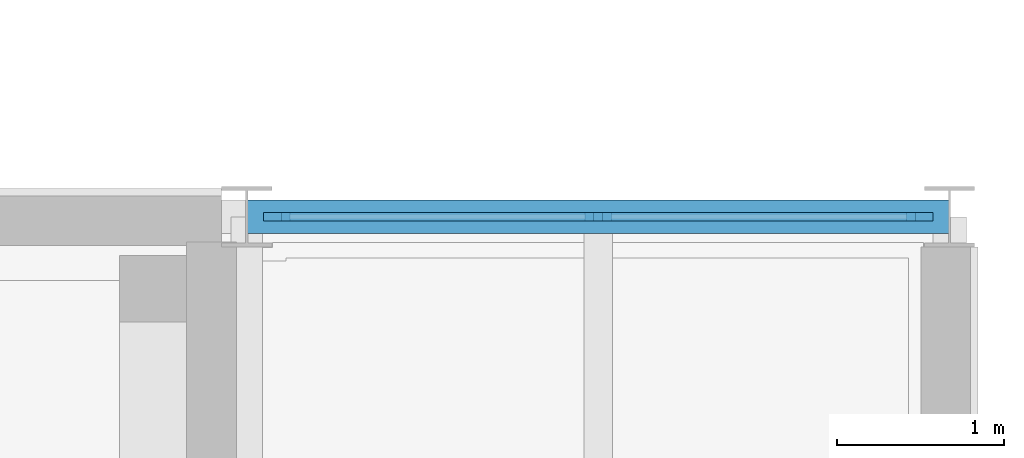
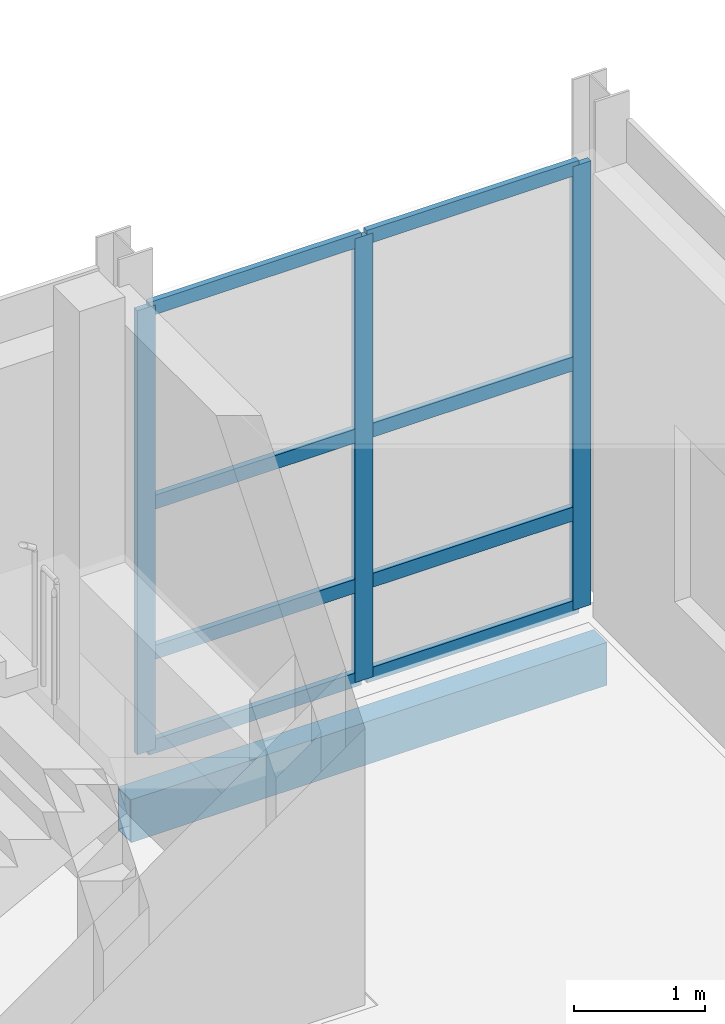
# One storey, part 66 of 131: 11 members, 1 beam, 1 element without a shape of its own.
"""IFC4 building model written with IfcOpenShell, lengths in metres."""

from ifc_helpers import new_model, si_unit, direction, frame, origin, origin_2d, place, context, subcontext, project, spatial, rectangle, hollow_rectangle, extrude, material, layer, layer_set, material_profile, profile_set, type_object, element, aggregate, save


model = new_model("IFC4")

# Units and contexts
model_context = context("Model", 3, precision=1e-05, world=origin(), true_north=direction((0.0, 1.0)))
body_context = subcontext(model_context, "Body", "Model", "MODEL_VIEW")
ifc_project = project(units=[si_unit("LENGTHUNIT", "METRE"), si_unit("AREAUNIT", "SQUARE_METRE"), si_unit("VOLUMEUNIT", "CUBIC_METRE"), si_unit("PLANEANGLEUNIT", "RADIAN"), si_unit("MASSUNIT", "GRAM", prefix="KILO")], contexts=[model_context])

# Site, building, storey
site_placement = place(None, origin())
site = spatial("IfcSite", under=ifc_project, at=site_placement, CompositionType="ELEMENT")
building_placement = place(site_placement, origin())
building = spatial("IfcBuilding", under=site, at=building_placement, Name="Celorna Specialist Clinic", CompositionType="ELEMENT")
storey_placement = place(building_placement, origin())
storey = spatial("IfcBuildingStorey", under=building, at=storey_placement, Name="L00", CompositionType="ELEMENT", Elevation=0.0)

# Beam
ifc_material_1 = material(Name="Steel S355", Category="steel")
ifc_material_profile_1 = material_profile(ifc_material_1, hollow_rectangle(XDim=0.199951171875, YDim=0.39990234375, WallThickness=0.011962890625, at=origin_2d()), Name="RHS 200x400x12")
ifc_profile_set_1 = profile_set([ifc_material_profile_1], Name="Steel S355")
beam_type = type_object("IfcBeamType", Name="BM-15", PredefinedType="SPANDREL", material=ifc_profile_set_1)
beam_placement = place(storey_placement, frame((163.800048828125, 83.39990234375, -0.5400390625), z_axis=(1.0, 0.0, 0.0), x_axis=(0.0, 1.0, 0.0)))
element("IfcBeam", 1, at=beam_placement, inside=storey, type_object=beam_type, Name="Spandrel beam BM-15 #557", PredefinedType="SPANDREL", context=body_context, shape_type="SweptSolid", body=[
    extrude(hollow_rectangle(XDim=0.199951171875, YDim=0.39990234375, WallThickness=0.011962890625, at=origin_2d()), origin(), (0.0, 0.0, 1.0), 4.199951171875),
])

# Curtain wall, members
ifc_material_2 = material(Name="Thermally broken aluminium and solar-control glass curtain wall", Category="aluminium")
ifc_layer = layer(ifc_material_2, 0.159912109375, Name="Thermally broken aluminium and solar-control glass curtain wall")
ifc_layer_set = layer_set([ifc_layer], Name="Thermally broken aluminium and solar-control glass curtain wall")
curtain_wall_type = type_object("IfcCurtainWallType", Name="CW-37", PredefinedType="NOTDEFINED", material=ifc_layer_set)
curtain_wall_placement = place(storey_placement, origin())
curtain_wall = element("IfcCurtainWall", 2, at=curtain_wall_placement, inside=storey, type_object=curtain_wall_type, Name="Curtain wall CW-37 #72", PredefinedType="NOTDEFINED")
ifc_material_3 = material(Name="Anodized aluminium mullion", Category="aluminium")
ifc_material_profile_2 = material_profile(ifc_material_3, rectangle(XDim=0.050048828125, YDim=0.159912109375, at=origin_2d()), Name="ALU MULLION 50x160")
ifc_profile_set_2 = profile_set([ifc_material_profile_2], Name="Anodized aluminium mullion")
member_type_1 = type_object("IfcMemberType", Name="ML-01", PredefinedType="MULLION", material=ifc_profile_set_2)
member_1_placement = place(storey_placement, frame((163.97900390625, 83.39990234375, 0.0), z_axis=(0.0, 0.0, 1.0), x_axis=(0.0, 1.0, 0.0)))
member_1 = element("IfcMember", 3, at=member_1_placement, type_object=member_type_1, Name="CW-37 mullion 1", PredefinedType="MULLION", context=body_context, shape_type="SweptSolid", body=[
    extrude(rectangle(XDim=0.050048828125, YDim=0.159912109375, at=origin_2d()), origin(), (0.0, 0.0, 1.0), 4.139892578125),
])
member_2_placement = place(storey_placement, frame((165.89990234375, 83.39990234375, 0.0), z_axis=(0.0, 0.0, 1.0), x_axis=(0.0, 1.0, 0.0)))
member_2 = element("IfcMember", 4, at=member_2_placement, type_object=member_type_1, Name="CW-37 mullion 2", PredefinedType="MULLION", context=body_context, shape_type="SweptSolid", body=[
    extrude(rectangle(XDim=0.050048828125, YDim=0.159912109375, at=origin_2d()), origin(), (0.0, 0.0, 1.0), 4.139892578125),
])
member_3_placement = place(storey_placement, frame((167.821044921875, 83.39990234375, 0.0), z_axis=(0.0, 0.0, 1.0), x_axis=(0.0, 1.0, 0.0)))
member_3 = element("IfcMember", 5, at=member_3_placement, type_object=member_type_1, Name="CW-37 mullion 3", PredefinedType="MULLION", context=body_context, shape_type="SweptSolid", body=[
    extrude(rectangle(XDim=0.050048828125, YDim=0.159912109375, at=origin_2d()), origin(), (0.0, 0.0, 1.0), 4.139892578125),
])
ifc_material_4 = material(Name="Anodized aluminium transom", Category="aluminium")
ifc_material_profile_3 = material_profile(ifc_material_4, rectangle(XDim=0.050048828125, YDim=0.1298828125, at=origin_2d()), Name="ALU TRANSOM 50x130")
ifc_profile_set_3 = profile_set([ifc_material_profile_3], Name="Anodized aluminium transom")
member_type_2 = type_object("IfcMemberType", Name="TR-01", PredefinedType="USERDEFINED", material=ifc_profile_set_3)
member_4_placement = place(storey_placement, frame((164.00390625, 83.39990234375, 0.02490234375), z_axis=(1.0, 0.0, 0.0), x_axis=(0.0, 1.0, 0.0)))
member_4 = element("IfcMember", 6, at=member_4_placement, type_object=member_type_2, Name="CW-37 transom 1.1", ObjectType="TRANSOM", PredefinedType="USERDEFINED", context=body_context, shape_type="SweptSolid", body=[
    extrude(rectangle(XDim=0.050048828125, YDim=0.1298828125, at=origin_2d()), origin(), (0.0, 0.0, 1.0), 1.87109375),
])
member_5_placement = place(storey_placement, frame((164.00390625, 83.39990234375, 0.89990234375), z_axis=(1.0, 0.0, 0.0), x_axis=(0.0, 1.0, 0.0)))
member_5 = element("IfcMember", 7, at=member_5_placement, type_object=member_type_2, Name="CW-37 transom 1.2", ObjectType="TRANSOM", PredefinedType="USERDEFINED", context=body_context, shape_type="SweptSolid", body=[
    extrude(rectangle(XDim=0.050048828125, YDim=0.1298828125, at=origin_2d()), origin(), (0.0, 0.0, 1.0), 1.87109375),
])
member_6_placement = place(storey_placement, frame((164.00390625, 83.39990234375, 2.300048828125), z_axis=(1.0, 0.0, 0.0), x_axis=(0.0, 1.0, 0.0)))
member_6 = element("IfcMember", 8, at=member_6_placement, type_object=member_type_2, Name="CW-37 transom 1.3", ObjectType="TRANSOM", PredefinedType="USERDEFINED", context=body_context, shape_type="SweptSolid", body=[
    extrude(rectangle(XDim=0.050048828125, YDim=0.1298828125, at=origin_2d()), origin(), (0.0, 0.0, 1.0), 1.87109375),
])
member_7_placement = place(storey_placement, frame((164.00390625, 83.39990234375, 4.114990234375), z_axis=(1.0, 0.0, 0.0), x_axis=(0.0, 1.0, 0.0)))
member_7 = element("IfcMember", 9, at=member_7_placement, type_object=member_type_2, Name="CW-37 transom 1.4", ObjectType="TRANSOM", PredefinedType="USERDEFINED", context=body_context, shape_type="SweptSolid", body=[
    extrude(rectangle(XDim=0.050048828125, YDim=0.1298828125, at=origin_2d()), origin(), (0.0, 0.0, 1.0), 1.87109375),
])
member_8_placement = place(storey_placement, frame((165.925048828125, 83.39990234375, 0.02490234375), z_axis=(1.0, 0.0, 0.0), x_axis=(0.0, 1.0, 0.0)))
member_8 = element("IfcMember", 10, at=member_8_placement, type_object=member_type_2, Name="CW-37 transom 2.1", ObjectType="TRANSOM", PredefinedType="USERDEFINED", context=body_context, shape_type="SweptSolid", body=[
    extrude(rectangle(XDim=0.050048828125, YDim=0.1298828125, at=origin_2d()), origin(), (0.0, 0.0, 1.0), 1.870849609375),
])
member_9_placement = place(storey_placement, frame((165.925048828125, 83.39990234375, 0.89990234375), z_axis=(1.0, 0.0, 0.0), x_axis=(0.0, 1.0, 0.0)))
member_9 = element("IfcMember", 11, at=member_9_placement, type_object=member_type_2, Name="CW-37 transom 2.2", ObjectType="TRANSOM", PredefinedType="USERDEFINED", context=body_context, shape_type="SweptSolid", body=[
    extrude(rectangle(XDim=0.050048828125, YDim=0.1298828125, at=origin_2d()), origin(), (0.0, 0.0, 1.0), 1.870849609375),
])
member_10_placement = place(storey_placement, frame((165.925048828125, 83.39990234375, 2.300048828125), z_axis=(1.0, 0.0, 0.0), x_axis=(0.0, 1.0, 0.0)))
member_10 = element("IfcMember", 12, at=member_10_placement, type_object=member_type_2, Name="CW-37 transom 2.3", ObjectType="TRANSOM", PredefinedType="USERDEFINED", context=body_context, shape_type="SweptSolid", body=[
    extrude(rectangle(XDim=0.050048828125, YDim=0.1298828125, at=origin_2d()), origin(), (0.0, 0.0, 1.0), 1.870849609375),
])
member_11_placement = place(storey_placement, frame((165.925048828125, 83.39990234375, 4.114990234375), z_axis=(1.0, 0.0, 0.0), x_axis=(0.0, 1.0, 0.0)))
member_11 = element("IfcMember", 13, at=member_11_placement, type_object=member_type_2, Name="CW-37 transom 2.4", ObjectType="TRANSOM", PredefinedType="USERDEFINED", context=body_context, shape_type="SweptSolid", body=[
    extrude(rectangle(XDim=0.050048828125, YDim=0.1298828125, at=origin_2d()), origin(), (0.0, 0.0, 1.0), 1.870849609375),
])
aggregate(curtain_wall, [member_1, member_2, member_3, member_4, member_5, member_6, member_7, member_8, member_9, member_10, member_11])

save(model, "model.ifc")
